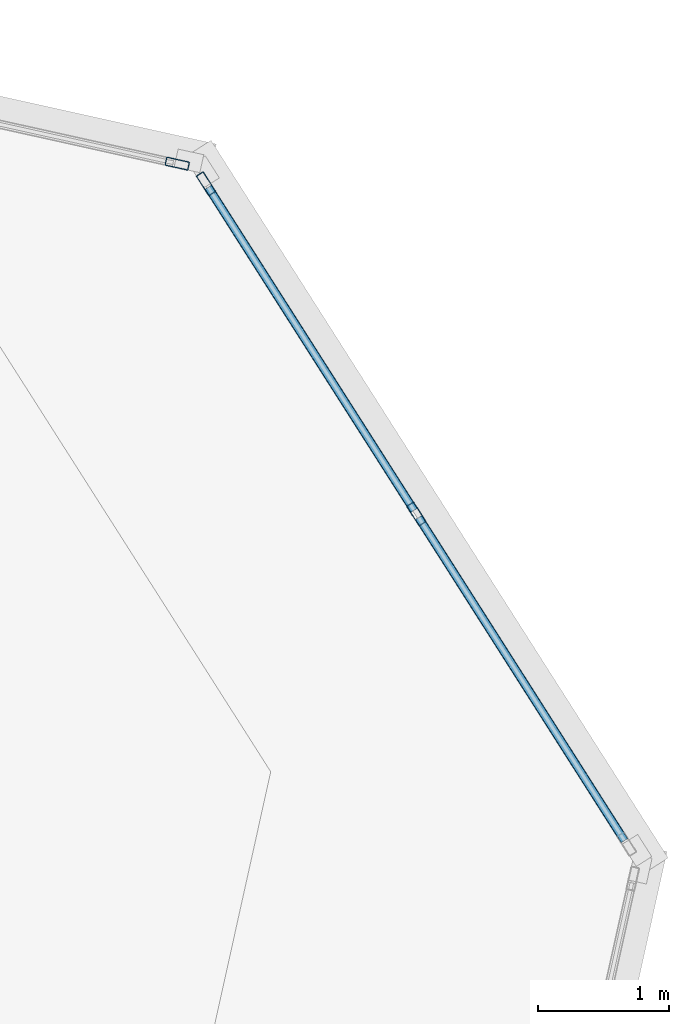
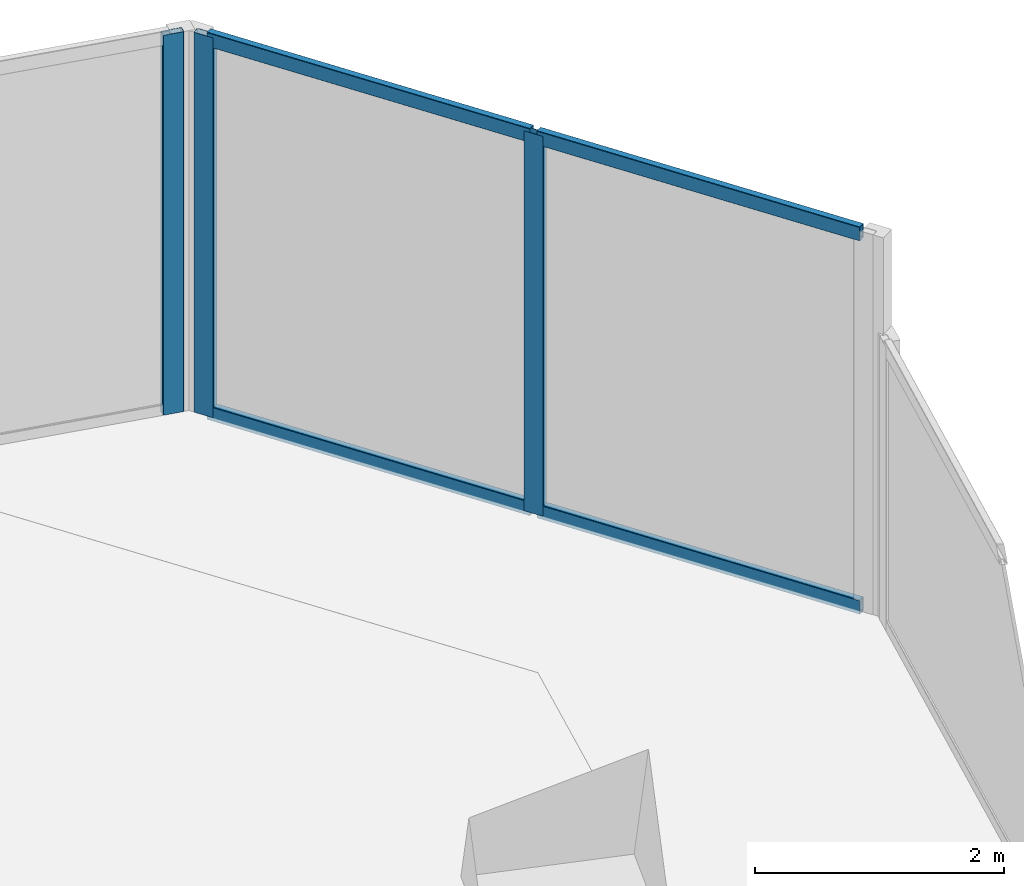
# One storey, part 14 of 25: 7 members, 2 elements without a shape of their own.
"""IFC4 building model written with IfcOpenShell, lengths in metres."""

from ifc_helpers import new_model, si_unit, direction, frame, origin, origin_2d, place, context, subcontext, project, spatial, hollow_rectangle, extrude, source, transform, mapped, material, material_profile, profile_set, type_object, element, aggregate, save


model = new_model("IFC4")

# Units and contexts
model_context = context("Model", 3, precision=1e-05, world=origin(), true_north=direction((0.0, 1.0)))
body_context = subcontext(model_context, "Body", "Model", "MODEL_VIEW")
ifc_project = project(units=[si_unit("LENGTHUNIT", "METRE"), si_unit("AREAUNIT", "SQUARE_METRE"), si_unit("VOLUMEUNIT", "CUBIC_METRE"), si_unit("PLANEANGLEUNIT", "RADIAN"), si_unit("MASSUNIT", "GRAM", prefix="KILO")], contexts=[model_context])

# Site, building, storey
site_placement = place(None, origin())
site = spatial("IfcSite", under=ifc_project, at=site_placement, CompositionType="ELEMENT")
building_placement = place(site_placement, origin())
building = spatial("IfcBuilding", under=site, at=building_placement, Name="Torre Montelarca", CompositionType="ELEMENT")
storey_placement = place(building_placement, frame((0.0, 0.0, 91.60009765625)))
storey = spatial("IfcBuildingStorey", under=building, at=storey_placement, Name="L20", CompositionType="ELEMENT", Elevation=91.60009765625)

# Curtain wall, members
ifc_material_1 = material(Name="Insulated low-E laminated glass", Category="glass")
curtain_wall_type = type_object("IfcCurtainWallType", Name="CW-SYS-Z1", PredefinedType="USERDEFINED", material=ifc_material_1)
curtain_wall_1_placement = place(storey_placement, origin())
curtain_wall_1 = element("IfcCurtainWall", 1, at=curtain_wall_1_placement, inside=storey, type_object=curtain_wall_type, Name="L20 Curtain Wall Run CW-T3-L20-E07-B1", ObjectType="UNITISED GLAZING", PredefinedType="USERDEFINED")
ifc_material_2 = material(Name="Anodised aluminium AA 6063-T6", Category="aluminium")
ifc_material_profile_1 = material_profile(ifc_material_2, hollow_rectangle(XDim=0.06494140625, YDim=0.139892578125, WallThickness=0.00390625, InnerFilletRadius=0.00390625, OuterFilletRadius=0.008056640625, at=origin_2d()), Name="ALU65X140X4", Category="aluminium")
ifc_profile_set_1 = profile_set([ifc_material_profile_1], Name="Anodised aluminium AA 6063-T6")
member_type_1 = type_object("IfcMemberType", Name="CWT-ALU140", PredefinedType="USERDEFINED", material=ifc_profile_set_1)
shared_shape_1 = source(origin(), body_context, "Body", "SweptSolid", [
    extrude(hollow_rectangle(XDim=0.06494140625, YDim=0.139892578125, WallThickness=0.00390625, InnerFilletRadius=0.00390625, OuterFilletRadius=0.008056640625, at=origin_2d()), origin(), (0.0, 0.0, 1.0), 2.9189453125),
])
member_1_placement = place(storey_placement, frame((63.590576171875, 36.88671875, 0.032470703125), z_axis=(-0.53732462987, 0.843375504823, 0.0), x_axis=(-0.843375504823, -0.53732462987, 0.0)))
member_1 = element("IfcMember", 2, at=member_1_placement, type_object=member_type_1, Name="CW transom 2.1", ObjectType="TRANSOM", PredefinedType="USERDEFINED", context=body_context, shape_type="MappedRepresentation", body=[
    mapped(shared_shape_1, transform((0.0, 0.0, 0.0), scale=1.0)),
])
member_2_placement = place(storey_placement, frame((63.590576171875, 36.88671875, 3.6875), z_axis=(-0.53732462987, 0.843375504823, 0.0), x_axis=(-0.843375504823, -0.53732462987, 0.0)))
member_2 = element("IfcMember", 3, at=member_2_placement, type_object=member_type_1, Name="CW transom 2.2", ObjectType="TRANSOM", PredefinedType="USERDEFINED", context=body_context, shape_type="MappedRepresentation", body=[
    mapped(shared_shape_1, transform((0.0, 0.0, 0.0), scale=1.0)),
])
shared_shape_2 = source(origin(), body_context, "Body", "SweptSolid", [
    extrude(hollow_rectangle(XDim=0.06494140625, YDim=0.139892578125, WallThickness=0.00390625, InnerFilletRadius=0.00390625, OuterFilletRadius=0.008056640625, at=origin_2d()), origin(), (0.0, 0.0, 1.0), 2.918701171875),
])
member_3_placement = place(storey_placement, frame((65.193603515625, 34.370361328125, 0.032470703125), z_axis=(-0.537265131857, 0.843413408768, 0.0), x_axis=(-0.843413408768, -0.537265131857, 0.0)))
member_3 = element("IfcMember", 4, at=member_3_placement, type_object=member_type_1, Name="CW transom 1.1", ObjectType="TRANSOM", PredefinedType="USERDEFINED", context=body_context, shape_type="MappedRepresentation", body=[
    mapped(shared_shape_2, transform((0.0, 0.0, 0.0), scale=1.0)),
])
member_4_placement = place(storey_placement, frame((65.193603515625, 34.370361328125, 3.6875), z_axis=(-0.537265131857, 0.843413408768, 0.0), x_axis=(-0.843413408768, -0.537265131857, 0.0)))
member_4 = element("IfcMember", 5, at=member_4_placement, type_object=member_type_1, Name="CW transom 1.2", ObjectType="TRANSOM", PredefinedType="USERDEFINED", context=body_context, shape_type="MappedRepresentation", body=[
    mapped(shared_shape_2, transform((0.0, 0.0, 0.0), scale=1.0)),
])
ifc_material_profile_2 = material_profile(ifc_material_2, hollow_rectangle(XDim=0.06494140625, YDim=0.179931640625, WallThickness=0.00390625, InnerFilletRadius=0.00390625, OuterFilletRadius=0.008056640625, at=origin_2d()), Name="ALU65X180X4", Category="aluminium")
ifc_profile_set_2 = profile_set([ifc_material_profile_2], Name="Anodised aluminium AA 6063-T6")
member_type_2 = type_object("IfcMemberType", Name="CWM-ALU180", PredefinedType="MULLION", material=ifc_profile_set_2)
shared_shape_3 = source(origin(), body_context, "Body", "SweptSolid", [
    extrude(hollow_rectangle(XDim=0.06494140625, YDim=0.179931640625, WallThickness=0.00390625, InnerFilletRadius=0.00390625, OuterFilletRadius=0.008056640625, at=origin_2d()), origin(), (0.0, 0.0, 1.0), 3.719970703125),
])
member_5_placement = place(storey_placement, frame((63.60791015625, 36.859375, 0.0), z_axis=(0.0, 0.0, 1.0), x_axis=(-0.843380828079, -0.537316274487, 0.0)))
member_5 = element("IfcMember", 6, at=member_5_placement, type_object=member_type_2, Name="CW mullion 2", PredefinedType="MULLION", context=body_context, shape_type="MappedRepresentation", body=[
    mapped(shared_shape_3, transform((0.0, 0.0, 0.0), scale=1.0)),
])
member_6_placement = place(storey_placement, frame((62.0048828125, 39.375732421875, 0.0), z_axis=(0.0, 0.0, 1.0), x_axis=(-0.843380828079, -0.537316274487, 0.0)))
member_6 = element("IfcMember", 7, at=member_6_placement, type_object=member_type_2, Name="CW mullion 3", PredefinedType="MULLION", context=body_context, shape_type="MappedRepresentation", body=[
    mapped(shared_shape_3, transform((0.0, 0.0, 0.0), scale=1.0)),
])
aggregate(curtain_wall_1, [member_5, member_6, member_3, member_4, member_1, member_2])

# Curtain wall, member
curtain_wall_2_placement = place(storey_placement, origin())
curtain_wall_2 = element("IfcCurtainWall", 8, at=curtain_wall_2_placement, inside=storey, type_object=curtain_wall_type, Name="L20 Curtain Wall Run CW-T3-L20-E08-B1", ObjectType="UNITISED GLAZING", PredefinedType="USERDEFINED")
member_7_placement = place(storey_placement, frame((61.7861328125, 39.52880859375, 0.0), z_axis=(0.0, 0.0, 1.0), x_axis=(-0.216442538014, -0.976295358863, 0.0)))
member_7 = element("IfcMember", 9, at=member_7_placement, type_object=member_type_2, Name="CW mullion 1", PredefinedType="MULLION", context=body_context, shape_type="MappedRepresentation", body=[
    mapped(shared_shape_3, transform((0.0, 0.0, 0.0), scale=1.0)),
])
aggregate(curtain_wall_2, [member_7])

save(model, "model.ifc")
